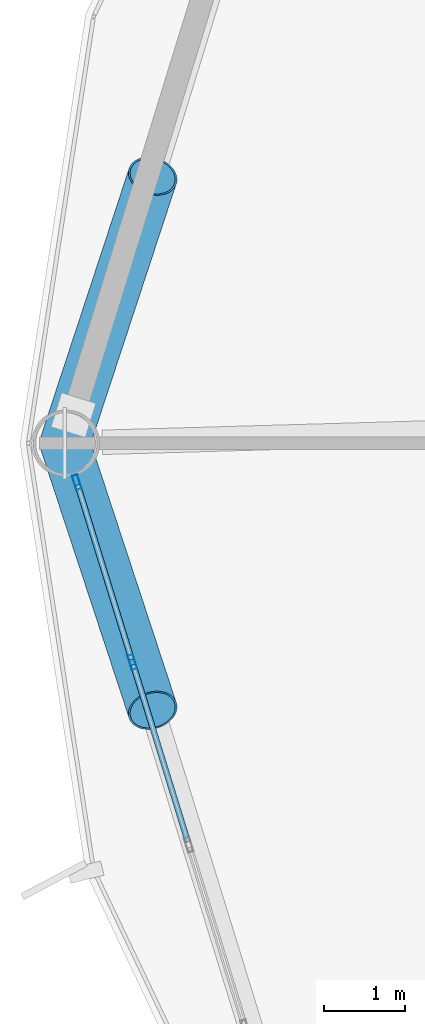
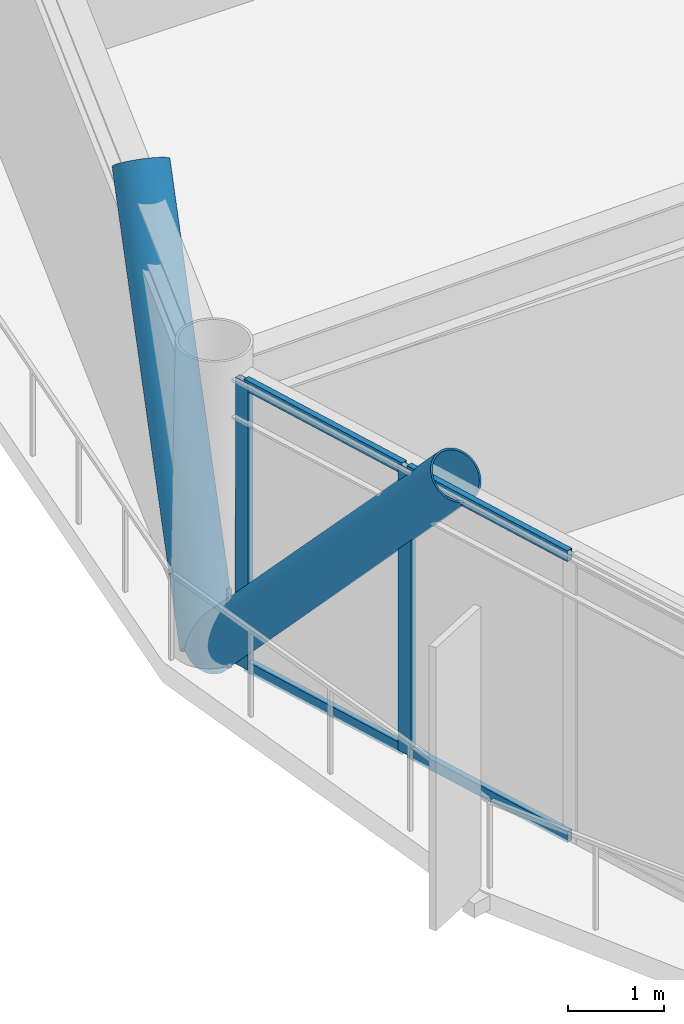
# One storey, part 8 of 26: 8 members, 1 element without a shape of its own.
"""IFC4 building model written with IfcOpenShell, lengths in metres."""

from ifc_helpers import new_model, si_unit, direction, frame, origin, origin_2d, place, context, subcontext, project, spatial, hollow_rectangle, hollow_circle, extrude, material, layer, layer_set, material_profile, profile_set, type_object, element, aggregate, save


model = new_model("IFC4")

# Units and contexts
model_context = context("Model", 3, precision=1e-05, world=origin(), true_north=direction((0.0, 1.0)))
body_context = subcontext(model_context, "Body", "Model", "MODEL_VIEW")
ifc_project = project(units=[si_unit("LENGTHUNIT", "METRE"), si_unit("AREAUNIT", "SQUARE_METRE"), si_unit("VOLUMEUNIT", "CUBIC_METRE"), si_unit("PLANEANGLEUNIT", "RADIAN"), si_unit("MASSUNIT", "GRAM", prefix="KILO")], contexts=[model_context])

# Site, building, storey
site_placement = place(None, origin())
site = spatial("IfcSite", under=ifc_project, at=site_placement, CompositionType="ELEMENT")
building_placement = place(site_placement, origin())
building = spatial("IfcBuilding", under=site, at=building_placement, Name="Varnakorn Sky Granary", CompositionType="ELEMENT")
storey_placement = place(building_placement, frame((0.0, 0.0, 87.60009765625)))
storey = spatial("IfcBuildingStorey", under=building, at=storey_placement, Name="L21", CompositionType="ELEMENT", Elevation=87.60009765625)

# Curtain wall, members
ifc_material_1 = material(Name="Anodised Bronze Aluminium Alloy 6063-T6", Category="aluminium")
ifc_layer = layer(ifc_material_1, 0.18994140625, Name="Anodised Bronze Aluminium Alloy 6063-T6")
ifc_layer_set = layer_set([ifc_layer], Name="Anodised Bronze Aluminium Alloy 6063-T6")
curtain_wall_type = type_object("IfcCurtainWallType", Name="CW-FRM-1", PredefinedType="USERDEFINED", material=ifc_layer_set)
curtain_wall_placement = place(storey_placement, origin())
curtain_wall = element("IfcCurtainWall", 1, at=curtain_wall_placement, inside=storey, type_object=curtain_wall_type, Name="Unitised Curtain Wall CW3 CW-L21-B07", ObjectType="CURTAIN WALL", PredefinedType="USERDEFINED")
ifc_material_profile_1 = material_profile(ifc_material_1, hollow_rectangle(XDim=0.070068359375, YDim=0.18505859375, WallThickness=0.00390625, at=origin_2d()), Name="ALU MULL 70x185")
ifc_profile_set_1 = profile_set([ifc_material_profile_1], Name="Anodised Bronze Aluminium Alloy 6063-T6")
member_type_1 = type_object("IfcMemberType", Name="CW-FRM-1-MULL", PredefinedType="MULLION", material=ifc_profile_set_1)
member_1_placement = place(storey_placement, frame((-22.52001953125, -2.687255859375, 0.0), z_axis=(0.0, 0.0, 1.0), x_axis=(-0.955475972481, -0.295068917394, 0.0)))
member_1 = element("IfcMember", 2, at=member_1_placement, type_object=member_type_1, Name="CW3 mullion 4", PredefinedType="MULLION", context=body_context, shape_type="SweptSolid", body=[
    extrude(hollow_rectangle(XDim=0.070068359375, YDim=0.18505859375, WallThickness=0.00390625, at=origin_2d()), origin(), (0.0, 0.0, 1.0), 3.639892578125),
])
member_2_placement = place(storey_placement, frame((-23.201904296875, -0.479248046875, 0.0), z_axis=(0.0, 0.0, 1.0), x_axis=(-0.955475972481, -0.295068917394, 0.0)))
member_2 = element("IfcMember", 3, at=member_2_placement, type_object=member_type_1, Name="CW3 mullion 5", PredefinedType="MULLION", context=body_context, shape_type="SweptSolid", body=[
    extrude(hollow_rectangle(XDim=0.070068359375, YDim=0.18505859375, WallThickness=0.00390625, at=origin_2d()), origin(), (0.0, 0.0, 1.0), 3.639892578125),
])
ifc_material_profile_2 = material_profile(ifc_material_1, hollow_rectangle(XDim=0.070068359375, YDim=0.139892578125, WallThickness=0.00341796875, at=origin_2d()), Name="ALU TRAN 70x140")
ifc_profile_set_2 = profile_set([ifc_material_profile_2], Name="Anodised Bronze Aluminium Alloy 6063-T6")
member_type_2 = type_object("IfcMemberType", Name="CW-FRM-1-TRAN", PredefinedType="USERDEFINED", material=ifc_profile_set_2)
member_3_placement = place(storey_placement, frame((-21.838134765625, -4.895263671875, 0.034912109375), z_axis=(-0.29510330976, 0.955465350794, 0.0), x_axis=(-0.955465350794, -0.29510330976, 0.0)))
member_3 = element("IfcMember", 4, at=member_3_placement, type_object=member_type_2, Name="CW3 transom 3.1", ObjectType="TRANSOM", PredefinedType="USERDEFINED", context=body_context, shape_type="SweptSolid", body=[
    extrude(hollow_rectangle(XDim=0.070068359375, YDim=0.139892578125, WallThickness=0.00341796875, at=origin_2d()), origin(), (0.0, 0.0, 1.0), 2.27587890625),
])
member_4_placement = place(storey_placement, frame((-21.838134765625, -4.895263671875, 3.60498046875), z_axis=(-0.29510330976, 0.955465350794, 0.0), x_axis=(-0.955465350794, -0.29510330976, 0.0)))
member_4 = element("IfcMember", 5, at=member_4_placement, type_object=member_type_2, Name="CW3 transom 3.2", ObjectType="TRANSOM", PredefinedType="USERDEFINED", context=body_context, shape_type="SweptSolid", body=[
    extrude(hollow_rectangle(XDim=0.070068359375, YDim=0.139892578125, WallThickness=0.00341796875, at=origin_2d()), origin(), (0.0, 0.0, 1.0), 2.27587890625),
])
member_5_placement = place(storey_placement, frame((-22.530517578125, -2.65380859375, 0.034912109375), z_axis=(-0.295035036036, 0.955486435022, 0.0), x_axis=(-0.955486435022, -0.295035036036, 0.0)))
member_5 = element("IfcMember", 6, at=member_5_placement, type_object=member_type_2, Name="CW3 transom 4.1", ObjectType="TRANSOM", PredefinedType="USERDEFINED", context=body_context, shape_type="SweptSolid", body=[
    extrude(hollow_rectangle(XDim=0.070068359375, YDim=0.139892578125, WallThickness=0.00341796875, at=origin_2d()), origin(), (0.0, 0.0, 1.0), 2.240966796875),
])
member_6_placement = place(storey_placement, frame((-22.530517578125, -2.65380859375, 3.60498046875), z_axis=(-0.295035036036, 0.955486435022, 0.0), x_axis=(-0.955486435022, -0.295035036036, 0.0)))
member_6 = element("IfcMember", 7, at=member_6_placement, type_object=member_type_2, Name="CW3 transom 4.2", ObjectType="TRANSOM", PredefinedType="USERDEFINED", context=body_context, shape_type="SweptSolid", body=[
    extrude(hollow_rectangle(XDim=0.070068359375, YDim=0.139892578125, WallThickness=0.00341796875, at=origin_2d()), origin(), (0.0, 0.0, 1.0), 2.240966796875),
])
aggregate(curtain_wall, [member_1, member_2, member_3, member_4, member_5, member_6])

# Members
ifc_material_2 = material(Name="Steel S460M", Category="steel")
ifc_material_profile_3 = material_profile(ifc_material_2, hollow_circle(Radius=0.304931640625, WallThickness=0.022216796875, at=origin_2d()), Name="CHS 610x22")
ifc_profile_set_3 = profile_set([ifc_material_profile_3], Name="Steel S460M")
member_type_3 = type_object("IfcMemberType", Name="MB-DIAG-T1", PredefinedType="BRACE", material=ifc_profile_set_3)
for number, where, z_axis, x_axis, name in (
    (8, (-23.35009765625, 0.0, 0.0), (0.210488584504, 0.639515667696, 0.739401289263), (-0.949872170088, 0.312638546076, 0.0), "Perimeter CHS Diagrid Brace DG06 L21"),
    (9, (-23.35009765625, 0.0, 0.0), (0.210488584504, -0.639515667696, 0.739401289263), (0.949872170088, 0.312638546076, 0.0), "Perimeter CHS Diagrid Brace DG07 L21"),
):
    element("IfcMember", number, at=place(storey_placement, frame(where, z_axis=z_axis, x_axis=x_axis)), inside=storey, type_object=member_type_3, Name=name, PredefinedType="BRACE", context=body_context, shape_type="SweptSolid", body=[
        extrude(hollow_circle(Radius=0.304931640625, WallThickness=0.022216796875, at=origin_2d()), origin(), (0.0, 0.0, 1.0), 5.12548828125),
    ])

save(model, "model.ifc")
